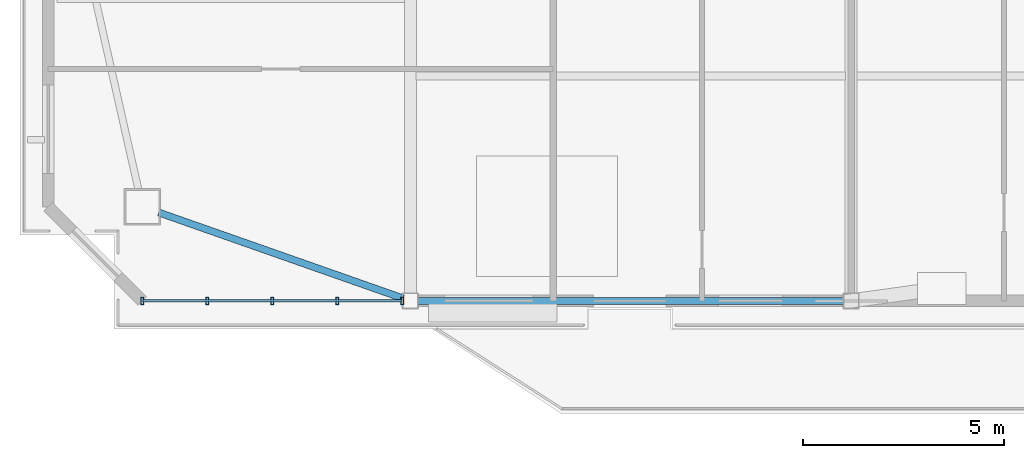
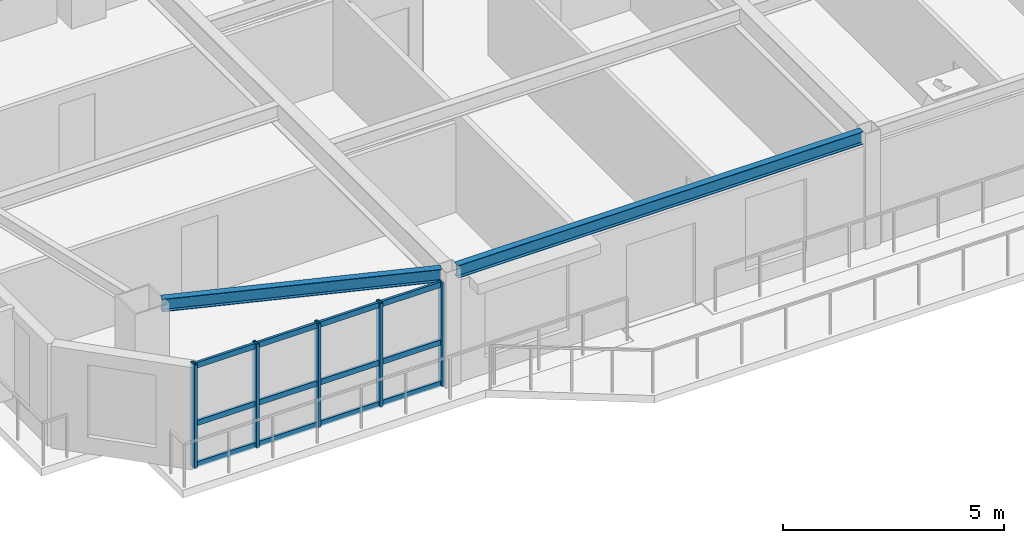
# One storey, part 2 of 14: 8 members, 2 beams, 1 element without a shape of its own.
"""IFC4 building model written with IfcOpenShell, lengths in metres."""

from ifc_helpers import new_model, si_unit, direction, frame, origin, origin_2d, place, context, subcontext, project, spatial, hollow_rectangle, i_section, extrude, source, transform, mapped, material, layer, layer_set, material_profile, profile_set, type_object, element, aggregate, save


model = new_model("IFC4")

# Units and contexts
model_context = context("Model", 3, precision=1e-05, world=origin(), true_north=direction((0.0, 1.0)))
body_context = subcontext(model_context, "Body", "Model", "MODEL_VIEW")
ifc_project = project(units=[si_unit("LENGTHUNIT", "METRE"), si_unit("AREAUNIT", "SQUARE_METRE"), si_unit("VOLUMEUNIT", "CUBIC_METRE"), si_unit("PLANEANGLEUNIT", "RADIAN"), si_unit("MASSUNIT", "GRAM", prefix="KILO")], contexts=[model_context])

# Site, building, storey
site_placement = place(None, origin())
site = spatial("IfcSite", under=ifc_project, at=site_placement, CompositionType="ELEMENT")
building_placement = place(site_placement, origin())
building = spatial("IfcBuilding", under=site, at=building_placement, Name="Giltprow Tower", CompositionType="ELEMENT")
storey_placement = place(building_placement, frame((0.0, 0.0, 314.199951171875)))
storey = spatial("IfcBuildingStorey", under=building, at=storey_placement, Name="L81", CompositionType="ELEMENT", Elevation=314.199951171875)

# Beams
ifc_material_1 = material(Name="Structural steel Q355B", Category="steel")
ifc_material_profile_1 = material_profile(ifc_material_1, i_section(OverallWidth=0.175048828125, OverallDepth=0.35009765625, WebThickness=0.007080078125, FlangeThickness=0.010986328125, at=origin_2d()), Name="HN 350x175x7x11")
ifc_profile_set_1 = profile_set([ifc_material_profile_1], Name="Structural steel Q355B")
beam_type = type_object("IfcBeamType", Name="BM-SPAN-HN350", PredefinedType="SPANDREL", material=ifc_profile_set_1)
shared_shape_1 = source(origin(), body_context, "Body", "SweptSolid", [
    extrude(i_section(OverallWidth=0.175048828125, OverallDepth=0.35009765625, WebThickness=0.007080078125, FlangeThickness=0.010986328125, at=origin_2d()), origin(), (0.0, 0.0, 1.0), 10.580078125),
])
beam_1_placement = place(storey_placement, frame((20.034912109375, 20.7041015625, 3.010009765625), z_axis=(1.0, 0.0, 0.0), x_axis=(0.0, 1.0, 0.0)))
element("IfcBeam", 1, at=beam_1_placement, inside=storey, type_object=beam_type, Name="L81 Perimeter Spandrel Beam S1-S2", PredefinedType="SPANDREL", context=body_context, shape_type="MappedRepresentation", body=[
    mapped(shared_shape_1, transform((0.0, 0.0, 0.0), x_axis=(1.0, 0.0, 0.0), y_axis=(0.0, 1.0, 0.0), z_axis=(0.0, 0.0, 1.0), scale=1.0)),
])
shared_shape_2 = source(origin(), body_context, "Body", "SweptSolid", [
    extrude(i_section(OverallWidth=0.175048828125, OverallDepth=0.35009765625, WebThickness=0.007080078125, FlangeThickness=0.010986328125, at=origin_2d()), origin(), (0.0, 0.0, 1.0), 6.435791015625),
])
beam_2_placement = place(storey_placement, frame((13.60302734375, 22.89794921875, 3.010009765625), z_axis=(0.943477453227, -0.331436713797, 0.0), x_axis=(0.331436713797, 0.943477453227, 0.0)))
element("IfcBeam", 2, at=beam_2_placement, inside=storey, type_object=beam_type, Name="L81 Perimeter Spandrel Beam MC_SW-S1", PredefinedType="SPANDREL", context=body_context, shape_type="MappedRepresentation", body=[
    mapped(shared_shape_2, transform((0.0, 0.0, 0.0), x_axis=(1.0, 0.0, 0.0), y_axis=(0.0, 1.0, 0.0), z_axis=(0.0, 0.0, 1.0), scale=1.0)),
])

# Curtain wall, members
ifc_material_2 = material(Name="Anodized bronze", Category="metal")
ifc_layer = layer(ifc_material_2, 0.179931640625, Name="Anodized bronze")
ifc_layer_set = layer_set([ifc_layer], Name="Anodized bronze")
curtain_wall_type = type_object("IfcCurtainWallType", Name="CW-RES-SKY", PredefinedType="NOTDEFINED", material=ifc_layer_set)
curtain_wall_placement = place(storey_placement, origin())
curtain_wall = element("IfcCurtainWall", 3, at=curtain_wall_placement, inside=storey, type_object=curtain_wall_type, Name="L81 South Recessed Curtain Wall 1", PredefinedType="NOTDEFINED")
ifc_material_profile_2 = material_profile(ifc_material_2, hollow_rectangle(XDim=0.074951171875, YDim=0.179931640625, WallThickness=0.008056640625, at=origin_2d()), Name="RHS 180x75x8")
ifc_profile_set_2 = profile_set([ifc_material_profile_2], Name="Anodized bronze")
member_type_1 = type_object("IfcMemberType", Name="CW-MULLION-180x75", PredefinedType="MULLION", material=ifc_profile_set_2)
shared_shape_3 = source(origin(), body_context, "Body", "SweptSolid", [
    extrude(hollow_rectangle(XDim=0.074951171875, YDim=0.179931640625, WallThickness=0.008056640625, at=origin_2d()), origin(), (0.0, 0.0, 1.0), 2.8701171875),
])
member_1_placement = place(storey_placement, frame((13.193115234375, 20.7041015625, -0.02001953125), z_axis=(0.0, 0.0, 1.0), x_axis=(1.0, 0.0, 0.0)))
member_1 = element("IfcMember", 4, at=member_1_placement, type_object=member_type_1, Name="L81 South Recessed Curtain Wall 1 Mullion 1", PredefinedType="MULLION", context=body_context, shape_type="MappedRepresentation", body=[
    mapped(shared_shape_3, transform((0.0, 0.0, 0.0), x_axis=(1.0, 0.0, 0.0), y_axis=(0.0, 1.0, 0.0), z_axis=(0.0, 0.0, 1.0), scale=1.0)),
])
member_2_placement = place(storey_placement, frame((14.806884765625, 20.7041015625, -0.02001953125), z_axis=(0.0, 0.0, 1.0), x_axis=(1.0, 0.0, 0.0)))
member_2 = element("IfcMember", 5, at=member_2_placement, type_object=member_type_1, Name="L81 South Recessed Curtain Wall 1 Mullion 2", PredefinedType="MULLION", context=body_context, shape_type="MappedRepresentation", body=[
    mapped(shared_shape_3, transform((0.0, 0.0, 0.0), x_axis=(1.0, 0.0, 0.0), y_axis=(0.0, 1.0, 0.0), z_axis=(0.0, 0.0, 1.0), scale=1.0)),
])
member_3_placement = place(storey_placement, frame((16.4208984375, 20.7041015625, -0.02001953125), z_axis=(0.0, 0.0, 1.0), x_axis=(1.0, 0.0, 0.0)))
member_3 = element("IfcMember", 6, at=member_3_placement, type_object=member_type_1, Name="L81 South Recessed Curtain Wall 1 Mullion 3", PredefinedType="MULLION", context=body_context, shape_type="MappedRepresentation", body=[
    mapped(shared_shape_3, transform((0.0, 0.0, 0.0), x_axis=(1.0, 0.0, 0.0), y_axis=(0.0, 1.0, 0.0), z_axis=(0.0, 0.0, 1.0), scale=1.0)),
])
member_4_placement = place(storey_placement, frame((18.035888671875, 20.7041015625, -0.02001953125), z_axis=(0.0, 0.0, 1.0), x_axis=(1.0, 0.0, 0.0)))
member_4 = element("IfcMember", 7, at=member_4_placement, type_object=member_type_1, Name="L81 South Recessed Curtain Wall 1 Mullion 4", PredefinedType="MULLION", context=body_context, shape_type="MappedRepresentation", body=[
    mapped(shared_shape_3, transform((0.0, 0.0, 0.0), x_axis=(1.0, 0.0, 0.0), y_axis=(0.0, 1.0, 0.0), z_axis=(0.0, 0.0, 1.0), scale=1.0)),
])
member_5_placement = place(storey_placement, frame((19.64990234375, 20.7041015625, -0.02001953125), z_axis=(0.0, 0.0, 1.0), x_axis=(1.0, 0.0, 0.0)))
member_5 = element("IfcMember", 8, at=member_5_placement, type_object=member_type_1, Name="L81 South Recessed Curtain Wall 1 Mullion 5", PredefinedType="MULLION", context=body_context, shape_type="MappedRepresentation", body=[
    mapped(shared_shape_3, transform((0.0, 0.0, 0.0), x_axis=(1.0, 0.0, 0.0), y_axis=(0.0, 1.0, 0.0), z_axis=(0.0, 0.0, 1.0), scale=1.0)),
])
ifc_material_profile_3 = material_profile(ifc_material_2, hollow_rectangle(XDim=0.06494140625, YDim=0.14990234375, WallThickness=0.006103515625, at=origin_2d()), Name="RHS 150x65x6")
ifc_profile_set_3 = profile_set([ifc_material_profile_3], Name="Anodized bronze")
member_type_2 = type_object("IfcMemberType", Name="CW-TRANSOM-150x65", PredefinedType="USERDEFINED", material=ifc_profile_set_3)
shared_shape_4 = source(origin(), body_context, "Body", "SweptSolid", [
    extrude(hollow_rectangle(XDim=0.06494140625, YDim=0.14990234375, WallThickness=0.006103515625, at=origin_2d()), origin(), (0.0, 0.0, 1.0), 6.456787109375),
])
member_6_placement = place(storey_placement, frame((13.193115234375, 20.7041015625, 0.0400390625), z_axis=(1.0, 0.0, 0.0), x_axis=(0.0, 1.0, 0.0)))
member_6 = element("IfcMember", 9, at=member_6_placement, type_object=member_type_2, Name="L81 South Recessed Curtain Wall 1 Transom 1", ObjectType="TRANSOM", PredefinedType="USERDEFINED", context=body_context, shape_type="MappedRepresentation", body=[
    mapped(shared_shape_4, transform((0.0, 0.0, 0.0), x_axis=(1.0, 0.0, 0.0), y_axis=(0.0, 1.0, 0.0), z_axis=(0.0, 0.0, 1.0), scale=1.0)),
])
member_7_placement = place(storey_placement, frame((13.193115234375, 20.7041015625, 1.18212890625), z_axis=(1.0, 0.0, 0.0), x_axis=(0.0, 1.0, 0.0)))
member_7 = element("IfcMember", 10, at=member_7_placement, type_object=member_type_2, Name="L81 South Recessed Curtain Wall 1 Transom 2", ObjectType="TRANSOM", PredefinedType="USERDEFINED", context=body_context, shape_type="MappedRepresentation", body=[
    mapped(shared_shape_4, transform((0.0, 0.0, 0.0), x_axis=(1.0, 0.0, 0.0), y_axis=(0.0, 1.0, 0.0), z_axis=(0.0, 0.0, 1.0), scale=1.0)),
])
member_8_placement = place(storey_placement, frame((13.193115234375, 20.7041015625, 2.775146484375), z_axis=(1.0, 0.0, 0.0), x_axis=(0.0, 1.0, 0.0)))
member_8 = element("IfcMember", 11, at=member_8_placement, type_object=member_type_2, Name="L81 South Recessed Curtain Wall 1 Transom 3", ObjectType="TRANSOM", PredefinedType="USERDEFINED", context=body_context, shape_type="MappedRepresentation", body=[
    mapped(shared_shape_4, transform((0.0, 0.0, 0.0), x_axis=(1.0, 0.0, 0.0), y_axis=(0.0, 1.0, 0.0), z_axis=(0.0, 0.0, 1.0), scale=1.0)),
])
aggregate(curtain_wall, [member_1, member_2, member_3, member_4, member_5, member_6, member_7, member_8])

save(model, "model.ifc")
